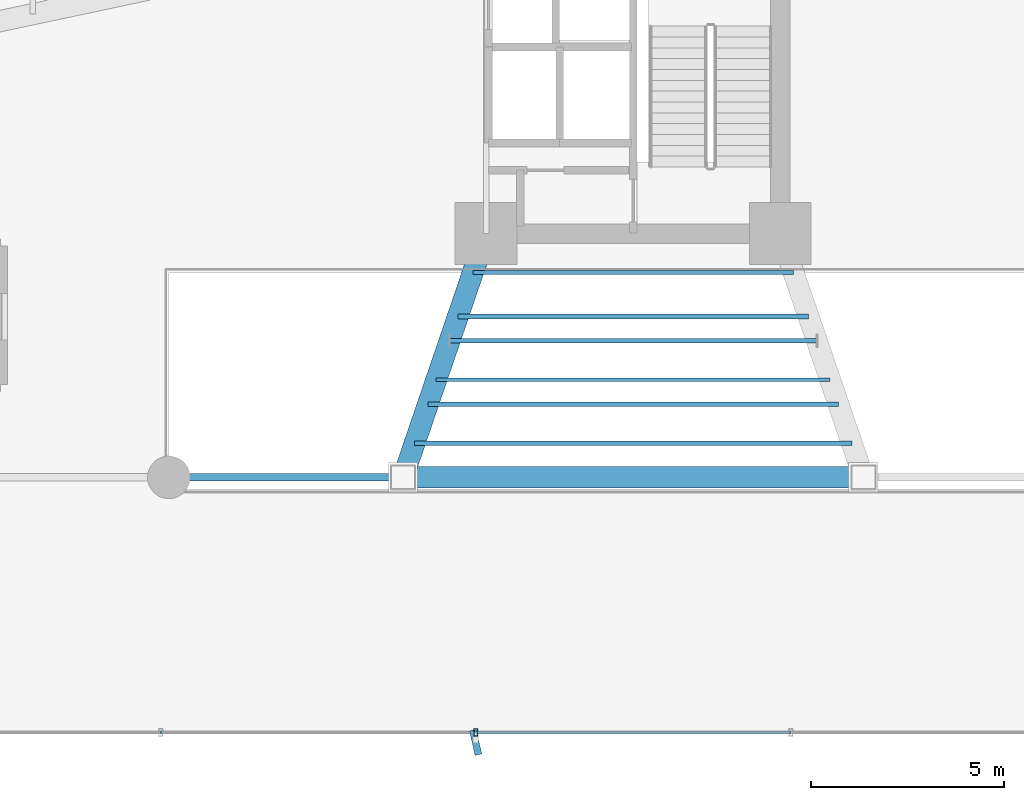
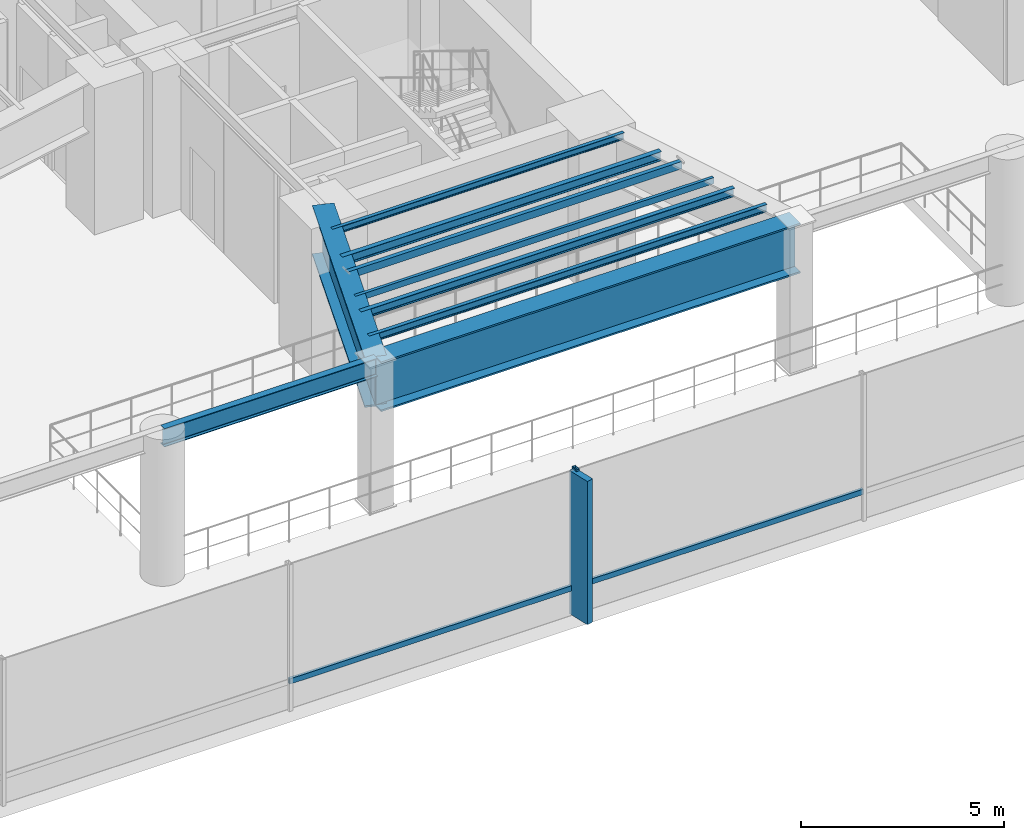
# One storey, part 3 of 22: 9 beams, 4 members, 1 element without a shape of its own.
"""IFC4 building model written with IfcOpenShell, lengths in metres."""

from ifc_helpers import new_model, si_unit, direction, frame, origin, origin_2d, place, context, subcontext, project, spatial, rectangle, hollow_rectangle, i_section, extrude, source, transform, mapped, material, material_profile, profile_set, type_object, element, aggregate, save


model = new_model("IFC4")

# Units and contexts
model_context = context("Model", 3, precision=1e-05, world=origin(), true_north=direction((0.0, 1.0)))
body_context = subcontext(model_context, "Body", "Model", "MODEL_VIEW")
ifc_project = project(units=[si_unit("LENGTHUNIT", "METRE"), si_unit("AREAUNIT", "SQUARE_METRE"), si_unit("VOLUMEUNIT", "CUBIC_METRE"), si_unit("PLANEANGLEUNIT", "RADIAN"), si_unit("MASSUNIT", "GRAM", prefix="KILO")], contexts=[model_context])

# Site, building, storey
site_placement = place(None, origin())
site = spatial("IfcSite", under=ifc_project, at=site_placement, CompositionType="ELEMENT")
building_placement = place(site_placement, origin())
building = spatial("IfcBuilding", under=site, at=building_placement, Name="Sahyath Konkavel Grand Hotel", CompositionType="ELEMENT")
storey_placement = place(building_placement, frame((0.0, 0.0, 9.300048828125)))
storey = spatial("IfcBuildingStorey", under=building, at=storey_placement, Name="L02", CompositionType="ELEMENT", Elevation=9.300048828125)

# Beams
ifc_material_1 = material(Name="Steel E350", Category="steel")
ifc_material_profile_1 = material_profile(ifc_material_1, i_section(OverallWidth=0.18994140625, OverallDepth=0.550048828125, WebThickness=0.01123046875, FlangeThickness=0.019287109375, FilletRadius=0.01806640625, at=origin_2d()), Name="ISMB 550")
ifc_profile_set_1 = profile_set([ifc_material_profile_1], Name="Steel E350")
beam_type_1 = type_object("IfcBeamType", Name="BM-ISMB550", PredefinedType="BEAM", material=ifc_profile_set_1)
shared_shape_1 = source(origin(), body_context, "Body", "SweptSolid", [
    extrude(i_section(OverallWidth=0.18994140625, OverallDepth=0.550048828125, WebThickness=0.01123046875, FlangeThickness=0.019287109375, FilletRadius=0.01806640625, at=origin_2d()), origin(), (0.0, 0.0, 1.0), 6.050048828125),
])
beam_1_placement = place(storey_placement, frame((-12.0, -16.5, 4.125), z_axis=(1.0, 0.0, 0.0), x_axis=(0.0, 1.0, 0.0)))
element("IfcBeam", 1, at=beam_1_placement, inside=storey, type_object=beam_type_1, Name="str:bm:L02:POD-06", PredefinedType="BEAM", context=body_context, shape_type="MappedRepresentation", body=[
    mapped(shared_shape_1, transform((0.0, 0.0, 0.0), scale=1.0)),
])
ifc_material_2 = material(Name="Steel E450", Category="steel")
ifc_material_profile_2 = material_profile(ifc_material_2, i_section(OverallWidth=0.550048828125, OverallDepth=1.5, WebThickness=0.028076171875, FlangeThickness=0.050048828125, at=origin_2d()), Name="BPG 1500x550")
ifc_profile_set_2 = profile_set([ifc_material_profile_2], Name="Steel E450")
beam_type_2 = type_object("IfcBeamType", Name="BM-BPG1500", PredefinedType="BEAM", material=ifc_profile_set_2)
shared_shape_2 = source(origin(), body_context, "Body", "SweptSolid", [
    extrude(i_section(OverallWidth=0.550048828125, OverallDepth=1.5, WebThickness=0.028076171875, FlangeThickness=0.050048828125, at=origin_2d()), origin(), (0.0, 0.0, 1.0), 6.65673828125),
])
beam_2_placement = place(storey_placement, frame((-3.800048828125, -10.199951171875, 3.64990234375), z_axis=(-0.322964397437, -0.946411114679, 0.0), x_axis=(0.946411114679, -0.322964397437, 0.0)))
element("IfcBeam", 2, at=beam_2_placement, inside=storey, type_object=beam_type_2, Name="L02 Ballroom E450 Transfer Truss Chord SA", PredefinedType="BEAM", context=body_context, shape_type="MappedRepresentation", body=[
    mapped(shared_shape_2, transform((0.0, 0.0, 0.0), scale=1.0)),
])
shared_shape_3 = source(origin(), body_context, "Body", "SweptSolid", [
    extrude(i_section(OverallWidth=0.550048828125, OverallDepth=1.5, WebThickness=0.028076171875, FlangeThickness=0.050048828125, at=origin_2d()), origin(), (0.0, 0.0, 1.0), 11.89990234375),
])
beam_3_placement = place(storey_placement, frame((-5.949951171875, -16.5, 3.64990234375), z_axis=(1.0, 0.0, 0.0), x_axis=(0.0, 1.0, 0.0)))
element("IfcBeam", 3, at=beam_3_placement, inside=storey, type_object=beam_type_2, Name="L02 Ballroom E450 Transfer Truss Chord Tie S", PredefinedType="BEAM", context=body_context, shape_type="MappedRepresentation", body=[
    mapped(shared_shape_3, transform((0.0, 0.0, 0.0), scale=1.0)),
])
ifc_material_profile_3 = material_profile(ifc_material_1, i_section(OverallWidth=0.10009765625, OverallDepth=0.199951171875, WebThickness=0.005615234375, FlangeThickness=0.0107421875, FilletRadius=0.010986328125, at=origin_2d()), Name="ISMB 200")
ifc_profile_set_3 = profile_set([ifc_material_profile_3], Name="Steel E350")
beam_type_3 = type_object("IfcBeamType", Name="BM-ISMB200", PredefinedType="BEAM", material=ifc_profile_set_3)
shared_shape_4 = source(origin(), body_context, "Body", "SweptSolid", [
    extrude(i_section(OverallWidth=0.10009765625, OverallDepth=0.199951171875, WebThickness=0.005615234375, FlangeThickness=0.0107421875, FilletRadius=0.010986328125, at=origin_2d()), origin(), (0.0, 0.0, 1.0), 8.2880859375),
])
beam_4_placement = place(storey_placement, frame((-4.14404296875, -11.2080078125, 4.300048828125), z_axis=(1.0, 0.0, 0.0), x_axis=(0.0, 1.0, 0.0)))
element("IfcBeam", 4, at=beam_4_placement, inside=storey, type_object=beam_type_3, Name="L02 Composite Deck Sub-Beam S-1", PredefinedType="BEAM", context=body_context, shape_type="MappedRepresentation", body=[
    mapped(shared_shape_4, transform((0.0, 0.0, 0.0), scale=1.0)),
])
ifc_material_profile_4 = material_profile(ifc_material_1, i_section(OverallWidth=0.139892578125, OverallDepth=0.27490234375, WebThickness=0.00634765625, FlangeThickness=0.0087890625, FilletRadius=0.012939453125, at=origin_2d()), Name="ISLB 275")
ifc_profile_set_4 = profile_set([ifc_material_profile_4], Name="Steel E350")
beam_type_4 = type_object("IfcBeamType", Name="BM-ISLB275", PredefinedType="BEAM", material=ifc_profile_set_4)
shared_shape_5 = source(origin(), body_context, "Body", "SweptSolid", [
    extrude(i_section(OverallWidth=0.139892578125, OverallDepth=0.27490234375, WebThickness=0.00634765625, FlangeThickness=0.0087890625, FilletRadius=0.012939453125, at=origin_2d()), origin(), (0.0, 0.0, 1.0), 9.06201171875),
])
beam_5_placement = place(storey_placement, frame((-4.531005859375, -12.342041015625, 4.262451171875), z_axis=(1.0, 0.0, 0.0), x_axis=(0.0, 1.0, 0.0)))
element("IfcBeam", 5, at=beam_5_placement, inside=storey, type_object=beam_type_4, Name="L02 Composite Deck Sub-Beam S-2", PredefinedType="BEAM", context=body_context, shape_type="MappedRepresentation", body=[
    mapped(shared_shape_5, transform((0.0, 0.0, 0.0), scale=1.0)),
])
ifc_material_profile_5 = material_profile(ifc_material_1, hollow_rectangle(XDim=0.1201171875, YDim=0.219970703125, WallThickness=0.010009765625, at=origin_2d()), Name="RHS 220x120x10")
ifc_profile_set_5 = profile_set([ifc_material_profile_5], Name="Steel E350")
beam_type_5 = type_object("IfcBeamType", Name="BM-RHS220", PredefinedType="BEAM", material=ifc_profile_set_5)
shared_shape_6 = source(origin(), body_context, "Body", "SweptSolid", [
    extrude(hollow_rectangle(XDim=0.1201171875, YDim=0.219970703125, WallThickness=0.010009765625, at=origin_2d()), origin(), (0.0, 0.0, 1.0), 9.4921875),
])
beam_6_placement = place(storey_placement, frame((-4.74609375, -12.971923828125, 4.2900390625), z_axis=(1.0, 0.0, 0.0), x_axis=(0.0, 1.0, 0.0)))
element("IfcBeam", 6, at=beam_6_placement, inside=storey, type_object=beam_type_5, Name="L02 Composite Deck Sub-Beam S-3", PredefinedType="BEAM", context=body_context, shape_type="MappedRepresentation", body=[
    mapped(shared_shape_6, transform((0.0, 0.0, 0.0), scale=1.0)),
])
ifc_material_profile_6 = material_profile(ifc_material_1, hollow_rectangle(XDim=0.090087890625, YDim=0.179931640625, WallThickness=0.008056640625, at=origin_2d()), Name="RHS 180x90x8")
ifc_profile_set_6 = profile_set([ifc_material_profile_6], Name="Steel E350")
beam_type_6 = type_object("IfcBeamType", Name="BM-RHS180", PredefinedType="BEAM", material=ifc_profile_set_6)
shared_shape_7 = source(origin(), body_context, "Body", "SweptSolid", [
    extrude(hollow_rectangle(XDim=0.090087890625, YDim=0.179931640625, WallThickness=0.008056640625, at=origin_2d()), origin(), (0.0, 0.0, 1.0), 10.18017578125),
])
beam_7_placement = place(storey_placement, frame((-5.090087890625, -13.97998046875, 4.31005859375), z_axis=(1.0, 0.0, 0.0), x_axis=(0.0, 1.0, 0.0)))
element("IfcBeam", 7, at=beam_7_placement, inside=storey, type_object=beam_type_6, Name="L02 Composite Deck Sub-Beam S-4", PredefinedType="BEAM", context=body_context, shape_type="MappedRepresentation", body=[
    mapped(shared_shape_7, transform((0.0, 0.0, 0.0), scale=1.0)),
])
ifc_material_profile_7 = material_profile(ifc_material_1, i_section(OverallWidth=0.125, OverallDepth=0.25, WebThickness=0.0068359375, FlangeThickness=0.012451171875, FilletRadius=0.012939453125, at=origin_2d()), Name="ISMB 250")
ifc_profile_set_7 = profile_set([ifc_material_profile_7], Name="Steel E350")
beam_type_7 = type_object("IfcBeamType", Name="BM-ISMB250", PredefinedType="BEAM", material=ifc_profile_set_7)
shared_shape_8 = source(origin(), body_context, "Body", "SweptSolid", [
    extrude(i_section(OverallWidth=0.125, OverallDepth=0.25, WebThickness=0.0068359375, FlangeThickness=0.012451171875, FilletRadius=0.012939453125, at=origin_2d()), origin(), (0.0, 0.0, 1.0), 10.60986328125),
])
beam_8_placement = place(storey_placement, frame((-5.304931640625, -14.610107421875, 4.27490234375), z_axis=(1.0, 0.0, 0.0), x_axis=(0.0, 1.0, 0.0)))
element("IfcBeam", 8, at=beam_8_placement, inside=storey, type_object=beam_type_7, Name="L02 Composite Deck Sub-Beam S-5", PredefinedType="BEAM", context=body_context, shape_type="MappedRepresentation", body=[
    mapped(shared_shape_8, transform((0.0, 0.0, 0.0), scale=1.0)),
])
ifc_material_profile_8 = material_profile(ifc_material_1, i_section(OverallWidth=0.110107421875, OverallDepth=0.22509765625, WebThickness=0.006591796875, FlangeThickness=0.01171875, FilletRadius=0.011962890625, at=origin_2d()), Name="ISMB 225")
ifc_profile_set_8 = profile_set([ifc_material_profile_8], Name="Steel E350")
beam_type_8 = type_object("IfcBeamType", Name="BM-ISMB225", PredefinedType="BEAM", material=ifc_profile_set_8)
shared_shape_9 = source(origin(), body_context, "Body", "SweptSolid", [
    extrude(i_section(OverallWidth=0.110107421875, OverallDepth=0.22509765625, WebThickness=0.006591796875, FlangeThickness=0.01171875, FilletRadius=0.011962890625, at=origin_2d()), origin(), (0.0, 0.0, 1.0), 11.2978515625),
])
beam_9_placement = place(storey_placement, frame((-5.64892578125, -15.617919921875, 4.287353515625), z_axis=(1.0, 0.0, 0.0), x_axis=(0.0, 1.0, 0.0)))
element("IfcBeam", 9, at=beam_9_placement, inside=storey, type_object=beam_type_8, Name="L02 Composite Deck Sub-Beam S-6", PredefinedType="BEAM", context=body_context, shape_type="MappedRepresentation", body=[
    mapped(shared_shape_9, transform((0.0, 0.0, 0.0), scale=1.0)),
])

# Curtain wall, members
ifc_material_3 = material(Name="Anodised Bronze Aluminium & Low-E Glazing", Category="aluminium")
curtain_wall_type = type_object("IfcCurtainWallType", Name="CW-PODIUM", PredefinedType="NOTDEFINED", material=ifc_material_3)
curtain_wall_placement = place(storey_placement, origin())
curtain_wall = element("IfcCurtainWall", 10, at=curtain_wall_placement, inside=storey, type_object=curtain_wall_type, Name="L02 Unitised Curtain Wall S", PredefinedType="NOTDEFINED")
ifc_material_4 = material(Name="Anodised Bronze Aluminium", Category="aluminium")
ifc_material_profile_9 = material_profile(ifc_material_4, hollow_rectangle(XDim=0.10009765625, YDim=0.199951171875, WallThickness=0.008056640625, at=origin_2d()), Name="RHS 200x100x8")
ifc_profile_set_9 = profile_set([ifc_material_profile_9], Name="Anodised Bronze Aluminium")
member_type_1 = type_object("IfcMemberType", Name="CW-MUL-200", PredefinedType="MULLION", material=ifc_profile_set_9)
shared_shape_10 = source(origin(), body_context, "Body", "SweptSolid", [
    extrude(hollow_rectangle(XDim=0.10009765625, YDim=0.199951171875, WallThickness=0.008056640625, at=origin_2d()), origin(), (0.0, 0.0, 1.0), 4.39990234375),
])
member_1_placement = place(storey_placement, frame((-4.071533203125, -23.092041015625, 0.0), z_axis=(0.0, 0.0, 1.0), x_axis=(1.0, 0.0, 0.0)))
member_1 = element("IfcMember", 11, at=member_1_placement, type_object=member_type_1, Name="L02 Curtain Wall Mullion S-3", PredefinedType="MULLION", context=body_context, shape_type="MappedRepresentation", body=[
    mapped(shared_shape_10, transform((0.0, 0.0, 0.0), scale=1.0)),
])
ifc_material_5 = material(Name="Warm Buff Sandstone Cladding on Concrete C50/60", Category="masonry")
ifc_material_profile_10 = material_profile(ifc_material_5, rectangle(XDim=0.179931640625, YDim=0.64990234375, at=origin_2d()), Name="FIN 180x650")
ifc_profile_set_10 = profile_set([ifc_material_profile_10], Name="Warm Buff Sandstone Cladding on Concrete C50/60")
member_type_2 = type_object("IfcMemberType", Name="FIN-SANDSTONE-650", PredefinedType="MULLION", material=ifc_profile_set_10)
shared_shape_11 = source(origin(), body_context, "Body", "SweptSolid", [
    extrude(rectangle(XDim=0.179931640625, YDim=0.64990234375, at=origin_2d()), origin(), (0.0, 0.0, 1.0), 4.2998046875),
])
member_2_placement = place(storey_placement, frame((-4.071533203125, -23.35205078125, 0.050048828125), z_axis=(0.0, 0.0, 1.0), x_axis=(0.975419299024, 0.220356962886, 0.0)))
member_2 = element("IfcMember", 12, at=member_2_placement, type_object=member_type_2, Name="L02 Sandstone Vertical Solar Fin FIN S-3", PredefinedType="MULLION", context=body_context, shape_type="MappedRepresentation", body=[
    mapped(shared_shape_11, transform((0.0, 0.0, 0.0), scale=1.0)),
])
ifc_material_profile_11 = material_profile(ifc_material_4, hollow_rectangle(XDim=0.080078125, YDim=0.159912109375, WallThickness=0.006103515625, at=origin_2d()), Name="RHS 160x80x6")
ifc_profile_set_11 = profile_set([ifc_material_profile_11], Name="Anodised Bronze Aluminium")
member_type_3 = type_object("IfcMemberType", Name="CW-TRN-160", PredefinedType="USERDEFINED", material=ifc_profile_set_11)
shared_shape_12 = source(origin(), body_context, "Body", "SweptSolid", [
    extrude(hollow_rectangle(XDim=0.080078125, YDim=0.159912109375, WallThickness=0.006103515625, at=origin_2d()), origin(), (0.0, 0.0, 1.0), 8.14306640625),
])
member_3_placement = place(storey_placement, frame((-12.214599609375, -23.092041015625, 0.849853515625), z_axis=(1.0, 0.0, 0.0), x_axis=(0.0, 1.0, 0.0)))
member_3 = element("IfcMember", 13, at=member_3_placement, type_object=member_type_3, Name="L02 Curtain Wall Transom S-2-spandrel", ObjectType="TRANSOM", PredefinedType="USERDEFINED", context=body_context, shape_type="MappedRepresentation", body=[
    mapped(shared_shape_12, transform((0.0, 0.0, 0.0), scale=1.0)),
])
member_4_placement = place(storey_placement, frame((-4.071533203125, -23.092041015625, 0.849853515625), z_axis=(1.0, 0.0, 0.0), x_axis=(0.0, 1.0, 0.0)))
member_4 = element("IfcMember", 14, at=member_4_placement, type_object=member_type_3, Name="L02 Curtain Wall Transom S-3-spandrel", ObjectType="TRANSOM", PredefinedType="USERDEFINED", context=body_context, shape_type="MappedRepresentation", body=[
    mapped(shared_shape_12, transform((0.0, 0.0, 0.0), scale=1.0)),
])
aggregate(curtain_wall, [member_1, member_2, member_3, member_4])

save(model, "model.ifc")
